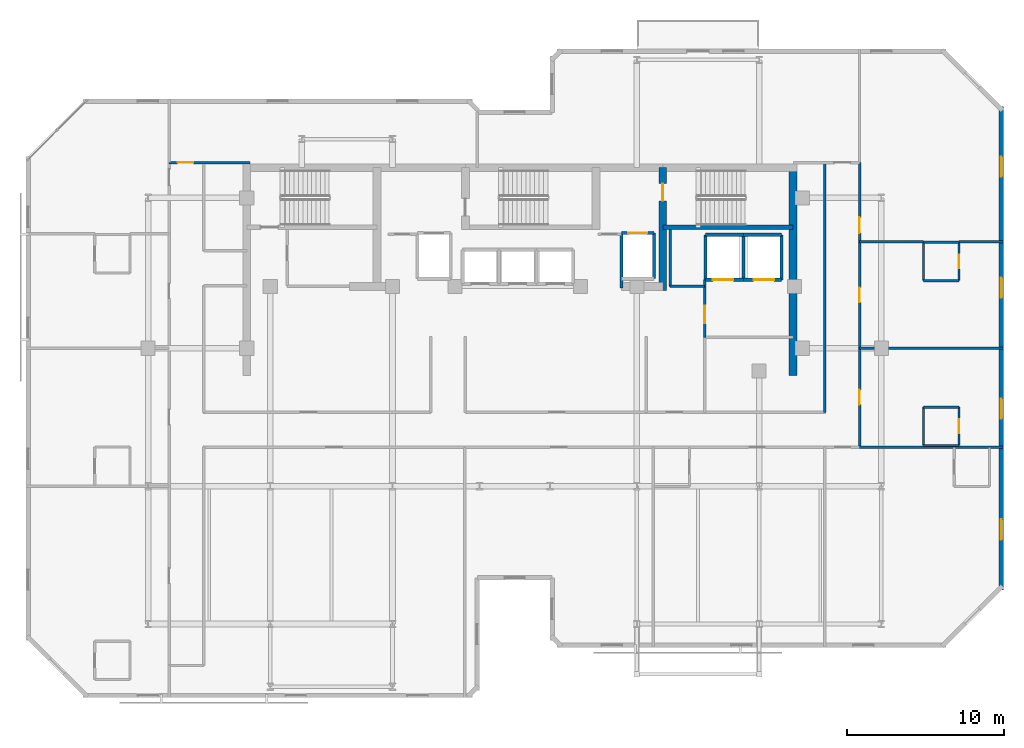
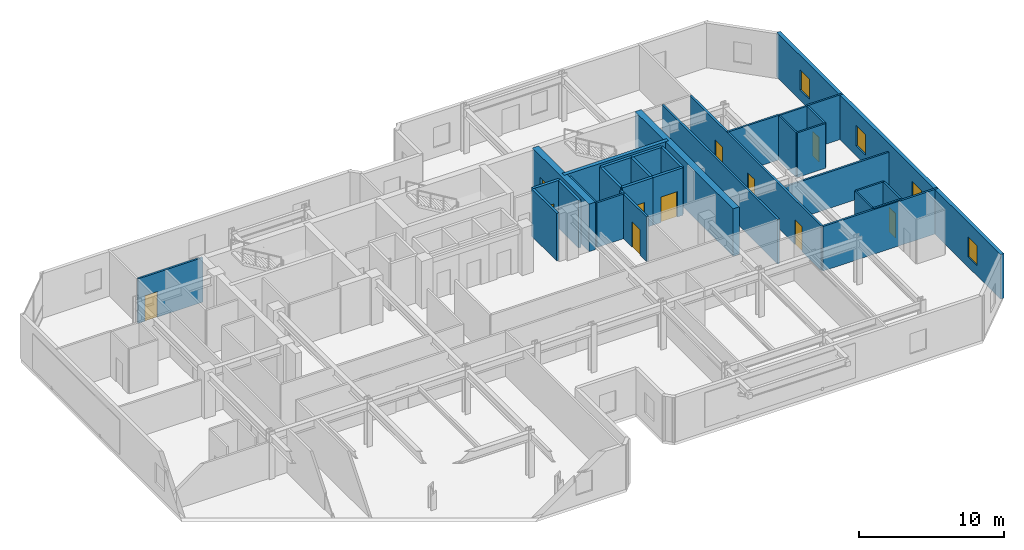
# One storey, part 6 of 10: 32 walls, 11 doors, 4 windows, 15 openings.
"""IFC4 building model written with IfcOpenShell, lengths in metres."""

from ifc_helpers import new_model, si_unit, direction, frame, frame_2d, origin, place, context, subcontext, project, spatial, rectangle, extrude, material, layer, layer_set, type_object, element, fill, save


model = new_model("IFC4")

# Units and contexts
model_context = context("Model", 3, precision=1e-05, world=origin(), true_north=direction((0.0, 1.0)))
body_context = subcontext(model_context, "Body", "Model", "MODEL_VIEW")
ifc_project = project(units=[si_unit("LENGTHUNIT", "METRE"), si_unit("AREAUNIT", "SQUARE_METRE"), si_unit("VOLUMEUNIT", "CUBIC_METRE"), si_unit("PLANEANGLEUNIT", "RADIAN"), si_unit("MASSUNIT", "GRAM", prefix="KILO")], contexts=[model_context])

# Site, building, storey
site_placement = place(None, origin())
site = spatial("IfcSite", under=ifc_project, at=site_placement, CompositionType="ELEMENT")
building_placement = place(site_placement, origin())
building = spatial("IfcBuilding", under=site, at=building_placement, Name="Kestravale Grand Hotel", CompositionType="ELEMENT")
storey_placement = place(building_placement, frame((0.0, 0.0, 261.39990234375)))
storey = spatial("IfcBuildingStorey", under=building, at=storey_placement, Name="L65", CompositionType="ELEMENT", Elevation=261.39990234375)

# Wall
ifc_material_1 = material(Name="Concrete f'c 50 MPa", Category="concrete")
ifc_layer_1 = layer(ifc_material_1, 0.5)
ifc_layer_set_1 = layer_set([ifc_layer_1], Name="EW-CORE-500")
wall_type_1 = type_object("IfcWallType", Name="EW-CORE-500", PredefinedType="SHEAR", material=ifc_layer_set_1)
wall_1_placement = place(storey_placement, frame((56.77001953125, 27.050048828125, 0.0), z_axis=(0.0, 0.0, 1.0), x_axis=(0.0, 1.0, 0.0)))
element("IfcWall", 1, at=wall_1_placement, inside=storey, type_object=wall_type_1, Name="L65 core shear wall E1", PredefinedType="SHEAR", context=body_context, shape_type="SweptSolid", body=[
    extrude(rectangle(XDim=13.52001953125, YDim=0.5, at=frame_2d((6.760009765625, 0.0))), origin(), (0.0, 0.0, 1.0), 4.0),
])

# Wall, opening, door
wall_2_placement = place(storey_placement, frame((48.449951171875, 32.5, 0.0), z_axis=(0.0, 0.0, 1.0), x_axis=(0.0, 1.0, 0.0)))
wall_2 = element("IfcWall", 2, at=wall_2_placement, inside=storey, type_object=wall_type_1, Name="L65 core shear wall X4", PredefinedType="SHEAR", context=body_context, shape_type="SweptSolid", body=[
    extrude(rectangle(XDim=7.820068359375, YDim=0.5, at=frame_2d((3.91015625, 0.0))), origin(), (0.0, 0.0, 1.0), 4.0),
])
opening_1_placement = place(wall_2_placement, frame((5.699951171875, 0.0, 0.0)))
opening_1 = element("IfcOpeningElement", 3, at=opening_1_placement, cuts=wall_2, Name="Opening D-ST-1100", PredefinedType="OPENING", context=body_context, shape_type="SweptSolid", body=[
    extrude(rectangle(XDim=1.10009765625, YDim=2.14990234375, at=frame_2d((0.550048828125, 1.074951171875))), frame((0.0, 0.260009765625, 0.0), z_axis=(0.0, -1.0, 0.0), x_axis=(1.0, 0.0, 0.0)), (0.0, 0.0, 1.0), 0.52001953125),
])
ifc_material_2 = material(Name="Galvanised 90-minute fire-rated steel stair door", Category="steel")
door_type_1 = type_object("IfcDoorType", Name="D-ST-1100", OperationType="NOTDEFINED", PredefinedType="DOOR", material=ifc_material_2)
door_1_placement = place(opening_1_placement, origin())
door_1 = element("IfcDoor", 4, at=door_1_placement, inside=storey, type_object=door_type_1, Name="L65 Stair ST-3 FSAE fire door", OperationType="SINGLE_SWING_RIGHT", OverallHeight=2.14990234375, OverallWidth=1.10009765625, PredefinedType="DOOR", context=body_context, shape_type="SweptSolid", body=[
    extrude(rectangle(XDim=1.10009765625, YDim=2.14990234375, at=frame_2d((0.550048828125, 1.074951171875))), frame((0.0, 0.02490234375, 0.0), z_axis=(0.0, -1.0, 0.0), x_axis=(1.0, 0.0, 0.0)), (0.0, 0.0, 1.0), 0.050048828125),
])
fill(opening_1, door_1)

# Wall, openings, windows
ifc_material_3 = material(Name="Precast concrete f'c 45 MPa", Category="concrete")
ifc_layer_2 = layer(ifc_material_3, 0.280029296875)
ifc_layer_set_2 = layer_set([ifc_layer_2], Name="EW-PREC-280")
wall_type_2 = type_object("IfcWallType", Name="EW-PREC-280", PredefinedType="SOLIDWALL", material=ifc_layer_set_2)
wall_3_placement = place(storey_placement, frame((70.06005859375, 13.360107421875, 0.0), z_axis=(0.0, 0.0, 1.0), x_axis=(0.0, 1.0, 0.0)))
wall_3 = element("IfcWall", 5, at=wall_3_placement, inside=storey, type_object=wall_type_2, Name="L65 fluted precast facade wall 9", PredefinedType="SOLIDWALL", context=body_context, shape_type="SweptSolid", body=[
    extrude(rectangle(XDim=30.8798828125, YDim=0.280029296875, at=frame_2d((15.43994140625, 0.0))), origin(), (0.0, 0.0, 1.0), 3.760009765625),
])
opening_2_placement = place(wall_3_placement, frame((3.2099609375, 0.0, 0.85009765625)))
opening_2 = element("IfcOpeningElement", 6, at=opening_2_placement, cuts=wall_3, Name="Opening W-GUEST-1300", PredefinedType="OPENING", context=body_context, shape_type="SweptSolid", body=[
    extrude(rectangle(XDim=1.300048828125, YDim=1.699951171875, at=frame_2d((0.64990234375, 0.85009765625))), frame((0.0, 0.14990234375, 0.0), z_axis=(0.0, -1.0, 0.0), x_axis=(1.0, 0.0, 0.0)), (0.0, 0.0, 1.0), 0.300048828125),
])
opening_3_placement = place(wall_3_placement, frame((10.929931640625, 0.0, 0.85009765625)))
opening_3 = element("IfcOpeningElement", 7, at=opening_3_placement, cuts=wall_3, Name="Opening W-GUEST-1300", PredefinedType="OPENING", context=body_context, shape_type="SweptSolid", body=[
    extrude(rectangle(XDim=1.300048828125, YDim=1.699951171875, at=frame_2d((0.64990234375, 0.85009765625))), frame((0.0, 0.14990234375, 0.0), z_axis=(0.0, -1.0, 0.0), x_axis=(1.0, 0.0, 0.0)), (0.0, 0.0, 1.0), 0.300048828125),
])
opening_4_placement = place(wall_3_placement, frame((18.64990234375, 0.0, 0.85009765625)))
opening_4 = element("IfcOpeningElement", 8, at=opening_4_placement, cuts=wall_3, Name="Opening W-GUEST-1300", PredefinedType="OPENING", context=body_context, shape_type="SweptSolid", body=[
    extrude(rectangle(XDim=1.300048828125, YDim=1.699951171875, at=frame_2d((0.64990234375, 0.85009765625))), frame((0.0, 0.14990234375, 0.0), z_axis=(0.0, -1.0, 0.0), x_axis=(1.0, 0.0, 0.0)), (0.0, 0.0, 1.0), 0.300048828125),
])
opening_5_placement = place(wall_3_placement, frame((26.3701171875, 0.0, 0.85009765625)))
opening_5 = element("IfcOpeningElement", 9, at=opening_5_placement, cuts=wall_3, Name="Opening W-GUEST-1300", PredefinedType="OPENING", context=body_context, shape_type="SweptSolid", body=[
    extrude(rectangle(XDim=1.300048828125, YDim=1.699951171875, at=frame_2d((0.64990234375, 0.85009765625))), frame((0.0, 0.14990234375, 0.0), z_axis=(0.0, -1.0, 0.0), x_axis=(1.0, 0.0, 0.0)), (0.0, 0.0, 1.0), 0.300048828125),
])
ifc_material_4 = material(Name="Insulated low-E double glazing in aluminium frame", Category="aluminium")
window_type = type_object("IfcWindowType", Name="W-GUEST-1300", PartitioningType="SINGLE_PANEL", PredefinedType="WINDOW", material=ifc_material_4)
window_1_placement = place(opening_2_placement, origin())
window_1 = element("IfcWindow", 10, at=window_1_placement, inside=storey, type_object=window_type, Name="L65 exterior window 9.1", OverallHeight=1.699951171875, OverallWidth=1.300048828125, PartitioningType="SINGLE_PANEL", PredefinedType="WINDOW", context=body_context, shape_type="SweptSolid", body=[
    extrude(rectangle(XDim=1.300048828125, YDim=1.699951171875, at=frame_2d((0.64990234375, 0.85009765625))), frame((0.0, 0.030029296875, 0.0), z_axis=(0.0, -1.0, 0.0), x_axis=(1.0, 0.0, 0.0)), (0.0, 0.0, 1.0), 0.06005859375),
])
fill(opening_2, window_1)
window_2_placement = place(opening_3_placement, origin())
window_2 = element("IfcWindow", 11, at=window_2_placement, inside=storey, type_object=window_type, Name="L65 exterior window 9.2", OverallHeight=1.699951171875, OverallWidth=1.300048828125, PartitioningType="SINGLE_PANEL", PredefinedType="WINDOW", context=body_context, shape_type="SweptSolid", body=[
    extrude(rectangle(XDim=1.300048828125, YDim=1.699951171875, at=frame_2d((0.64990234375, 0.85009765625))), frame((0.0, 0.030029296875, 0.0), z_axis=(0.0, -1.0, 0.0), x_axis=(1.0, 0.0, 0.0)), (0.0, 0.0, 1.0), 0.06005859375),
])
fill(opening_3, window_2)
window_3_placement = place(opening_4_placement, origin())
window_3 = element("IfcWindow", 12, at=window_3_placement, inside=storey, type_object=window_type, Name="L65 exterior window 9.3", OverallHeight=1.699951171875, OverallWidth=1.300048828125, PartitioningType="SINGLE_PANEL", PredefinedType="WINDOW", context=body_context, shape_type="SweptSolid", body=[
    extrude(rectangle(XDim=1.300048828125, YDim=1.699951171875, at=frame_2d((0.64990234375, 0.85009765625))), frame((0.0, 0.030029296875, 0.0), z_axis=(0.0, -1.0, 0.0), x_axis=(1.0, 0.0, 0.0)), (0.0, 0.0, 1.0), 0.06005859375),
])
fill(opening_4, window_3)
window_4_placement = place(opening_5_placement, origin())
window_4 = element("IfcWindow", 13, at=window_4_placement, inside=storey, type_object=window_type, Name="L65 exterior window 9.4", OverallHeight=1.699951171875, OverallWidth=1.300048828125, PartitioningType="SINGLE_PANEL", PredefinedType="WINDOW", context=body_context, shape_type="SweptSolid", body=[
    extrude(rectangle(XDim=1.300048828125, YDim=1.699951171875, at=frame_2d((0.64990234375, 0.85009765625))), frame((0.0, 0.030029296875, 0.0), z_axis=(0.0, -1.0, 0.0), x_axis=(1.0, 0.0, 0.0)), (0.0, 0.0, 1.0), 0.06005859375),
])
fill(opening_5, window_4)

# Wall
ifc_material_5 = material(Name="Concrete f'c 45 MPa", Category="concrete")
ifc_layer_3 = layer(ifc_material_5, 0.300048828125)
ifc_layer_set_3 = layer_set([ifc_layer_3], Name="EW-STAIR-300")
wall_type_3 = type_object("IfcWallType", Name="EW-STAIR-300", PredefinedType="SHEAR", material=ifc_layer_set_3)
wall_4_placement = place(storey_placement, frame((48.449951171875, 36.52001953125, 0.0), z_axis=(0.0, 0.0, 1.0), x_axis=(1.0, 0.0, 0.0)))
element("IfcWall", 14, at=wall_4_placement, inside=storey, type_object=wall_type_3, Name="L65 stair enclosure shear wall SST3", PredefinedType="SHEAR", context=body_context, shape_type="SweptSolid", body=[
    extrude(rectangle(XDim=8.320068359375, YDim=0.300048828125, at=frame_2d((4.16015625, 0.0))), origin(), (0.0, 0.0, 1.0), 4.0),
])

# Wall, opening, door
ifc_material_6 = material(Name="Acoustic fire-rated gypsum board partition", Category="other")
ifc_layer_4 = layer(ifc_material_6, 0.159912109375)
ifc_layer_set_4 = layer_set([ifc_layer_4], Name="IW-CORR-160")
wall_type_4 = type_object("IfcWallType", Name="IW-CORR-160", PredefinedType="PARTITIONING", material=ifc_layer_set_4)
wall_5_placement = place(storey_placement, frame((51.1201171875, 29.5, 0.0), z_axis=(0.0, 0.0, 1.0), x_axis=(0.0, 1.0, 0.0)))
wall_5 = element("IfcWall", 15, at=wall_5_placement, inside=storey, type_object=wall_type_4, Name="W-L65-SVCLOB-W", PredefinedType="PARTITIONING", context=body_context, shape_type="SweptSolid", body=[
    extrude(rectangle(XDim=3.699951171875, YDim=0.159912109375, at=frame_2d((1.85009765625, 0.0))), origin(), (0.0, 0.0, 1.0), 3.760009765625),
])
opening_6_placement = place(wall_5_placement, frame((0.89990234375, 0.0, 0.0)))
opening_6 = element("IfcOpeningElement", 16, at=opening_6_placement, cuts=wall_5, Name="Opening D-CORR-1100", PredefinedType="OPENING", context=body_context, shape_type="SweptSolid", body=[
    extrude(rectangle(XDim=1.10009765625, YDim=2.14990234375, at=frame_2d((0.550048828125, 1.074951171875))), frame((0.0, 0.08984375, 0.0), z_axis=(0.0, -1.0, 0.0), x_axis=(1.0, 0.0, 0.0)), (0.0, 0.0, 1.0), 0.179931640625),
])
ifc_material_7 = material(Name="Single-leaf service vestibule fire door", Category="steel")
door_type_2 = type_object("IfcDoorType", Name="D-CORR-1100", OperationType="NOTDEFINED", PredefinedType="DOOR", material=ifc_material_7)
door_2_placement = place(opening_6_placement, origin())
door_2 = element("IfcDoor", 17, at=door_2_placement, inside=storey, type_object=door_type_2, Name="L65 service lift lobby door", OperationType="SINGLE_SWING_LEFT", OverallHeight=2.14990234375, OverallWidth=1.10009765625, PredefinedType="DOOR", context=body_context, shape_type="SweptSolid", body=[
    extrude(rectangle(XDim=1.10009765625, YDim=2.14990234375, at=frame_2d((0.550048828125, 1.074951171875))), frame((0.0, 0.02490234375, 0.0), z_axis=(0.0, -1.0, 0.0), x_axis=(1.0, 0.0, 0.0)), (0.0, 0.0, 1.0), 0.050048828125),
])
fill(opening_6, door_2)

# Wall
wall_6_placement = place(storey_placement, frame((48.919921875, 32.75, 0.0), z_axis=(0.0, 0.0, 1.0), x_axis=(1.0, 0.0, 0.0)))
element("IfcWall", 18, at=wall_6_placement, inside=storey, type_object=wall_type_4, Name="W-L65-CES", PredefinedType="PARTITIONING", context=body_context, shape_type="SweptSolid", body=[
    extrude(rectangle(XDim=2.2001953125, YDim=0.159912109375, at=frame_2d((1.10009765625, 0.0))), origin(), (0.0, 0.0, 1.0), 3.760009765625),
])

# Wall, openings, doors
wall_7_placement = place(storey_placement, frame((61.010009765625, 22.550048828125, 0.0), z_axis=(0.0, 0.0, 1.0), x_axis=(0.0, 1.0, 0.0)))
wall_7 = element("IfcWall", 19, at=wall_7_placement, inside=storey, type_object=wall_type_4, Name="W-L65-SE-E", PredefinedType="PARTITIONING", context=body_context, shape_type="SweptSolid", body=[
    extrude(rectangle(XDim=18.099853515625, YDim=0.159912109375, at=frame_2d((9.0498046875, 0.0))), origin(), (0.0, 0.0, 1.0), 3.760009765625),
])
opening_7_placement = place(wall_7_placement, frame((2.64990234375, 0.0, 0.0)))
opening_7 = element("IfcOpeningElement", 20, at=opening_7_placement, cuts=wall_7, Name="Opening D-GUEST-950", PredefinedType="OPENING", context=body_context, shape_type="SweptSolid", body=[
    extrude(rectangle(XDim=0.949951171875, YDim=2.10009765625, at=frame_2d((0.47509765625, 1.050048828125))), frame((0.0, 0.08984375, 0.0), z_axis=(0.0, -1.0, 0.0), x_axis=(1.0, 0.0, 0.0)), (0.0, 0.0, 1.0), 0.179931640625),
])
opening_8_placement = place(wall_7_placement, frame((9.175048828125, 0.0, 0.0)))
opening_8 = element("IfcOpeningElement", 21, at=opening_8_placement, cuts=wall_7, Name="Opening D-GUEST-950", PredefinedType="OPENING", context=body_context, shape_type="SweptSolid", body=[
    extrude(rectangle(XDim=0.949951171875, YDim=2.10009765625, at=frame_2d((0.47509765625, 1.050048828125))), frame((0.0, 0.08984375, 0.0), z_axis=(0.0, -1.0, 0.0), x_axis=(1.0, 0.0, 0.0)), (0.0, 0.0, 1.0), 0.179931640625),
])
opening_9_placement = place(wall_7_placement, frame((13.60009765625, 0.0, 0.0)))
opening_9 = element("IfcOpeningElement", 22, at=opening_9_placement, cuts=wall_7, Name="Opening D-GUEST-1000", PredefinedType="OPENING", context=body_context, shape_type="SweptSolid", body=[
    extrude(rectangle(XDim=1.0, YDim=2.14990234375, at=frame_2d((0.5, 1.074951171875))), frame((0.0, 0.08984375, 0.0), z_axis=(0.0, -1.0, 0.0), x_axis=(1.0, 0.0, 0.0)), (0.0, 0.0, 1.0), 0.179931640625),
])
ifc_material_8 = material(Name="Accessible walnut veneer hotel entrance fire door", Category="wood")
door_type_3 = type_object("IfcDoorType", Name="D-GUEST-1000", OperationType="NOTDEFINED", PredefinedType="DOOR", material=ifc_material_8)
door_3_placement = place(opening_9_placement, origin())
door_3 = element("IfcDoor", 23, at=door_3_placement, inside=storey, type_object=door_type_3, Name="D-L65-AMEW", OperationType="SINGLE_SWING_RIGHT", OverallHeight=2.14990234375, OverallWidth=1.0, PredefinedType="DOOR", context=body_context, shape_type="SweptSolid", body=[
    extrude(rectangle(XDim=1.0, YDim=2.14990234375, at=frame_2d((0.5, 1.074951171875))), frame((0.0, 0.02490234375, 0.0), z_axis=(0.0, -1.0, 0.0), x_axis=(1.0, 0.0, 0.0)), (0.0, 0.0, 1.0), 0.050048828125),
])
fill(opening_9, door_3)
ifc_material_9 = material(Name="Walnut veneer hotel guestroom entrance fire door", Category="wood")
door_type_4 = type_object("IfcDoorType", Name="D-GUEST-950", OperationType="NOTDEFINED", PredefinedType="DOOR", material=ifc_material_9)
door_4_placement = place(opening_7_placement, origin())
door_4 = element("IfcDoor", 24, at=door_4_placement, inside=storey, type_object=door_type_4, Name="D-L65-U06-ENT", OperationType="SINGLE_SWING_LEFT", OverallHeight=2.10009765625, OverallWidth=0.949951171875, PredefinedType="DOOR", context=body_context, shape_type="SweptSolid", body=[
    extrude(rectangle(XDim=0.949951171875, YDim=2.10009765625, at=frame_2d((0.47509765625, 1.050048828125))), frame((0.0, 0.02490234375, 0.0), z_axis=(0.0, -1.0, 0.0), x_axis=(1.0, 0.0, 0.0)), (0.0, 0.0, 1.0), 0.050048828125),
])
fill(opening_7, door_4)
door_5_placement = place(opening_8_placement, origin())
door_5 = element("IfcDoor", 25, at=door_5_placement, inside=storey, type_object=door_type_4, Name="D-L65-U07-ENT", OperationType="SINGLE_SWING_LEFT", OverallHeight=2.10009765625, OverallWidth=0.949951171875, PredefinedType="DOOR", context=body_context, shape_type="SweptSolid", body=[
    extrude(rectangle(XDim=0.949951171875, YDim=2.10009765625, at=frame_2d((0.47509765625, 1.050048828125))), frame((0.0, 0.02490234375, 0.0), z_axis=(0.0, -1.0, 0.0), x_axis=(1.0, 0.0, 0.0)), (0.0, 0.0, 1.0), 0.050048828125),
])
fill(opening_8, door_5)

# Walls
wall_8_placement = place(storey_placement, frame((58.7900390625, 24.7099609375, 0.0), z_axis=(0.0, 0.0, 1.0), x_axis=(0.0, 1.0, 0.0)))
element("IfcWall", 26, at=wall_8_placement, inside=storey, type_object=wall_type_4, Name="W-L65-SE-WU", PredefinedType="PARTITIONING", context=body_context, shape_type="SweptSolid", body=[
    extrude(rectangle(XDim=15.93994140625, YDim=0.159912109375, at=frame_2d((7.969970703125, 0.0))), origin(), (0.0, 0.0, 1.0), 3.760009765625),
])
ifc_material_10 = material(Name="Moisture-resistant tile-backer plumbing chase wall", Category="other")
ifc_layer_5 = layer(ifc_material_10, 0.139892578125)
ifc_layer_set_5 = layer_set([ifc_layer_5], Name="IW-PLB-140")
wall_type_5 = type_object("IfcWallType", Name="IW-PLB-140", PredefinedType="PLUMBINGWALL", material=ifc_layer_set_5)
wall_9_placement = place(storey_placement, frame((65.10009765625, 22.590087890625, 0.0), z_axis=(0.0, 0.0, 1.0), x_axis=(0.0, 1.0, 0.0)))
element("IfcWall", 27, at=wall_9_placement, inside=storey, type_object=wall_type_5, Name="W-L65-U06-BW", PredefinedType="PLUMBINGWALL", context=body_context, shape_type="SweptSolid", body=[
    extrude(rectangle(XDim=2.449951171875, YDim=0.139892578125, at=frame_2d((1.22509765625, 0.0))), origin(), (0.0, 0.0, 1.0), 3.760009765625),
])

# Wall, opening, door
wall_10_placement = place(storey_placement, frame((67.35009765625, 22.590087890625, 0.0), z_axis=(0.0, 0.0, 1.0), x_axis=(0.0, 1.0, 0.0)))
wall_10 = element("IfcWall", 28, at=wall_10_placement, inside=storey, type_object=wall_type_5, Name="W-L65-U06-BE", PredefinedType="PLUMBINGWALL", context=body_context, shape_type="SweptSolid", body=[
    extrude(rectangle(XDim=2.449951171875, YDim=0.139892578125, at=frame_2d((1.22509765625, 0.0))), origin(), (0.0, 0.0, 1.0), 3.760009765625),
])
opening_10_placement = place(wall_10_placement, frame((0.784912109375, 0.0, 0.0)))
opening_10 = element("IfcOpeningElement", 29, at=opening_10_placement, cuts=wall_10, Name="Opening D-BATH-880", PredefinedType="OPENING", context=body_context, shape_type="SweptSolid", body=[
    extrude(rectangle(XDim=0.8798828125, YDim=2.050048828125, at=frame_2d((0.43994140625, 1.02490234375))), frame((0.0, 0.079833984375, 0.0), z_axis=(0.0, -1.0, 0.0), x_axis=(1.0, 0.0, 0.0)), (0.0, 0.0, 1.0), 0.159912109375),
])
ifc_material_11 = material(Name="Moisture-sealed walnut en-suite bathroom door", Category="wood")
door_type_5 = type_object("IfcDoorType", Name="D-BATH-880", OperationType="NOTDEFINED", PredefinedType="DOOR", material=ifc_material_11)
door_6_placement = place(opening_10_placement, origin())
door_6 = element("IfcDoor", 30, at=door_6_placement, inside=storey, type_object=door_type_5, Name="D-L65-U06-BATH", OperationType="SINGLE_SWING_RIGHT", OverallHeight=2.050048828125, OverallWidth=0.8798828125, PredefinedType="DOOR", context=body_context, shape_type="SweptSolid", body=[
    extrude(rectangle(XDim=0.8798828125, YDim=2.050048828125, at=frame_2d((0.43994140625, 1.02490234375))), frame((0.0, 0.02490234375, 0.0), z_axis=(0.0, -1.0, 0.0), x_axis=(1.0, 0.0, 0.0)), (0.0, 0.0, 1.0), 0.050048828125),
])
fill(opening_10, door_6)

# Walls
for number, where, z_axis, x_axis, name in (
    (31, (65.10009765625, 22.590087890625, 0.0), (0.0, 0.0, 1.0), (1.0, 0.0, 0.0), "W-L65-U06-BS"),
    (32, (65.10009765625, 25.0400390625, 0.0), (0.0, 0.0, 1.0), (1.0, 0.0, 0.0), "W-L65-U06-BN"),
):
    element("IfcWall", number, at=place(storey_placement, frame(where, z_axis=z_axis, x_axis=x_axis)), inside=storey, type_object=wall_type_5, Name=name, PredefinedType="PLUMBINGWALL", context=body_context, shape_type="SweptSolid", body=[
        extrude(rectangle(XDim=2.25, YDim=0.139892578125, at=frame_2d((1.125, 0.0))), origin(), (0.0, 0.0, 1.0), 3.760009765625),
    ])
wall_11_placement = place(storey_placement, frame((65.10009765625, 33.110107421875, 0.0), z_axis=(0.0, 0.0, 1.0), x_axis=(0.0, 1.0, 0.0)))
element("IfcWall", 33, at=wall_11_placement, inside=storey, type_object=wall_type_5, Name="W-L65-U07-BW", PredefinedType="PLUMBINGWALL", context=body_context, shape_type="SweptSolid", body=[
    extrude(rectangle(XDim=2.449951171875, YDim=0.139892578125, at=frame_2d((1.22509765625, 0.0))), origin(), (0.0, 0.0, 1.0), 3.760009765625),
])

# Wall, opening, door
wall_12_placement = place(storey_placement, frame((67.35009765625, 33.110107421875, 0.0), z_axis=(0.0, 0.0, 1.0), x_axis=(0.0, 1.0, 0.0)))
wall_12 = element("IfcWall", 34, at=wall_12_placement, inside=storey, type_object=wall_type_5, Name="W-L65-U07-BE", PredefinedType="PLUMBINGWALL", context=body_context, shape_type="SweptSolid", body=[
    extrude(rectangle(XDim=2.449951171875, YDim=0.139892578125, at=frame_2d((1.22509765625, 0.0))), origin(), (0.0, 0.0, 1.0), 3.760009765625),
])
opening_11_placement = place(wall_12_placement, frame((0.784912109375, 0.0, 0.0)))
opening_11 = element("IfcOpeningElement", 35, at=opening_11_placement, cuts=wall_12, Name="Opening D-BATH-880", PredefinedType="OPENING", context=body_context, shape_type="SweptSolid", body=[
    extrude(rectangle(XDim=0.8798828125, YDim=2.050048828125, at=frame_2d((0.43994140625, 1.02490234375))), frame((0.0, 0.079833984375, 0.0), z_axis=(0.0, -1.0, 0.0), x_axis=(1.0, 0.0, 0.0)), (0.0, 0.0, 1.0), 0.159912109375),
])
door_7_placement = place(opening_11_placement, origin())
door_7 = element("IfcDoor", 36, at=door_7_placement, inside=storey, type_object=door_type_5, Name="D-L65-U07-BATH", OperationType="SINGLE_SWING_RIGHT", OverallHeight=2.050048828125, OverallWidth=0.8798828125, PredefinedType="DOOR", context=body_context, shape_type="SweptSolid", body=[
    extrude(rectangle(XDim=0.8798828125, YDim=2.050048828125, at=frame_2d((0.43994140625, 1.02490234375))), frame((0.0, 0.02490234375, 0.0), z_axis=(0.0, -1.0, 0.0), x_axis=(1.0, 0.0, 0.0)), (0.0, 0.0, 1.0), 0.050048828125),
])
fill(opening_11, door_7)

# Walls
for number, where, z_axis, x_axis, name in (
    (37, (65.10009765625, 33.110107421875, 0.0), (0.0, 0.0, 1.0), (1.0, 0.0, 0.0), "W-L65-U07-BS"),
    (38, (65.10009765625, 35.56005859375, 0.0), (0.0, 0.0, 1.0), (1.0, 0.0, 0.0), "W-L65-U07-BN"),
):
    element("IfcWall", number, at=place(storey_placement, frame(where, z_axis=z_axis, x_axis=x_axis)), inside=storey, type_object=wall_type_5, Name=name, PredefinedType="PLUMBINGWALL", context=body_context, shape_type="SweptSolid", body=[
        extrude(rectangle(XDim=2.25, YDim=0.139892578125, at=frame_2d((1.125, 0.0))), origin(), (0.0, 0.0, 1.0), 3.760009765625),
    ])
ifc_material_12 = material(Name="Concrete f'c 45 MPa", Category="concrete")
ifc_layer_6 = layer(ifc_material_12, 0.199951171875)
ifc_layer_set_6 = layer_set([ifc_layer_6], Name="IW-SHAFT-200")
wall_type_6 = type_object("IfcWallType", Name="IW-SHAFT-200", PredefinedType="SHEAR", material=ifc_layer_set_6)
for number, where, z_axis, x_axis, name in (
    (39, (51.179931640625, 33.169921875, 0.0), (0.0, 0.0, 1.0), (0.0, 1.0, 0.0), "L65 SL-1 west shaft wall"),
    (40, (53.60009765625, 33.169921875, 0.0), (0.0, 0.0, 1.0), (0.0, 1.0, 0.0), "L65 SL-2 west shaft wall"),
    (41, (56.02001953125, 33.169921875, 0.0), (0.0, 0.0, 1.0), (0.0, 1.0, 0.0), "L65 SL-2 east shaft wall"),
):
    element("IfcWall", number, at=place(storey_placement, frame(where, z_axis=z_axis, x_axis=x_axis)), inside=storey, type_object=wall_type_6, Name=name, PredefinedType="SHEAR", context=body_context, shape_type="SweptSolid", body=[
        extrude(rectangle(XDim=2.860107421875, YDim=0.199951171875, at=frame_2d((1.43017578125, 0.0))), origin(), (0.0, 0.0, 1.0), 4.0),
    ])
wall_13_placement = place(storey_placement, frame((45.804931640625, 32.64990234375, 0.0), z_axis=(0.0, 0.0, 1.0), x_axis=(0.0, 1.0, 0.0)))
element("IfcWall", 42, at=wall_13_placement, inside=storey, type_object=wall_type_6, Name="L65 FL-2 west shaft wall", PredefinedType="SHEAR", context=body_context, shape_type="SweptSolid", body=[
    extrude(rectangle(XDim=3.505126953125, YDim=0.199951171875, at=frame_2d((1.75244140625, 0.0))), origin(), (0.0, 0.0, 1.0), 4.0),
])
wall_14_placement = place(storey_placement, frame((47.89501953125, 33.2451171875, 0.0), z_axis=(0.0, 0.0, 1.0), x_axis=(0.0, 1.0, 0.0)))
element("IfcWall", 43, at=wall_14_placement, inside=storey, type_object=wall_type_6, Name="L65 FL-2 east shaft wall", PredefinedType="SHEAR", context=body_context, shape_type="SweptSolid", body=[
    extrude(rectangle(XDim=2.909912109375, YDim=0.199951171875, at=frame_2d((1.455078125, 0.0))), origin(), (0.0, 0.0, 1.0), 4.0),
])
ifc_material_13 = material(Name="Concrete f'c 45 MPa", Category="concrete")
ifc_layer_7 = layer(ifc_material_13, 0.219970703125)
ifc_layer_set_7 = layer_set([ifc_layer_7], Name="IW-SHAFT-220")
wall_type_7 = type_object("IfcWallType", Name="IW-SHAFT-220", PredefinedType="SHEAR", material=ifc_layer_set_7)
wall_15_placement = place(storey_placement, frame((51.179931640625, 36.030029296875, 0.0), z_axis=(0.0, 0.0, 1.0), x_axis=(1.0, 0.0, 0.0)))
element("IfcWall", 44, at=wall_15_placement, inside=storey, type_object=wall_type_7, Name="L65 SL-1 north shaft wall", PredefinedType="SHEAR", context=body_context, shape_type="SweptSolid", body=[
    extrude(rectangle(XDim=2.420166015625, YDim=0.219970703125, at=frame_2d((1.2099609375, 0.0))), origin(), (0.0, 0.0, 1.0), 4.0),
])

# Wall, opening, door
wall_16_placement = place(storey_placement, frame((51.179931640625, 33.169921875, 0.0), z_axis=(0.0, 0.0, 1.0), x_axis=(1.0, 0.0, 0.0)))
wall_16 = element("IfcWall", 45, at=wall_16_placement, inside=storey, type_object=wall_type_7, Name="L65 SL-1 south shaft wall", PredefinedType="SHEAR", context=body_context, shape_type="SweptSolid", body=[
    extrude(rectangle(XDim=2.420166015625, YDim=0.219970703125, at=frame_2d((1.2099609375, 0.0))), origin(), (0.0, 0.0, 1.0), 4.0),
])
opening_12_placement = place(wall_16_placement, frame((0.469970703125, 0.0, 0.0)))
opening_12 = element("IfcOpeningElement", 46, at=opening_12_placement, cuts=wall_16, Name="Opening LD-SVC-1300", PredefinedType="OPENING", context=body_context, shape_type="SweptSolid", body=[
    extrude(rectangle(XDim=1.300048828125, YDim=2.14990234375, at=frame_2d((0.64990234375, 1.074951171875))), frame((0.0, 0.119873046875, 0.0), z_axis=(0.0, -1.0, 0.0), x_axis=(1.0, 0.0, 0.0)), (0.0, 0.0, 1.0), 0.239990234375),
])
ifc_material_14 = material(Name="Heavy-duty service sliding elevator landing door", Category="steel")
door_type_6 = type_object("IfcDoorType", Name="LD-SVC-1300", OperationType="NOTDEFINED", PredefinedType="DOOR", material=ifc_material_14)
door_8_placement = place(opening_12_placement, origin())
door_8 = element("IfcDoor", 47, at=door_8_placement, inside=storey, type_object=door_type_6, Name="L65 SL-1 elevator landing sliding door", OperationType="DOUBLE_DOOR_SLIDING", OverallHeight=2.14990234375, OverallWidth=1.300048828125, PredefinedType="DOOR", context=body_context, shape_type="SweptSolid", body=[
    extrude(rectangle(XDim=1.300048828125, YDim=2.14990234375, at=frame_2d((0.64990234375, 1.074951171875))), frame((0.0, 0.02490234375, 0.0), z_axis=(0.0, -1.0, 0.0), x_axis=(1.0, 0.0, 0.0)), (0.0, 0.0, 1.0), 0.050048828125),
])
fill(opening_12, door_8)

# Wall
wall_17_placement = place(storey_placement, frame((53.60009765625, 36.030029296875, 0.0), z_axis=(0.0, 0.0, 1.0), x_axis=(1.0, 0.0, 0.0)))
element("IfcWall", 48, at=wall_17_placement, inside=storey, type_object=wall_type_7, Name="L65 SL-2 north shaft wall", PredefinedType="SHEAR", context=body_context, shape_type="SweptSolid", body=[
    extrude(rectangle(XDim=2.419921875, YDim=0.219970703125, at=frame_2d((1.2099609375, 0.0))), origin(), (0.0, 0.0, 1.0), 4.0),
])

# Wall, opening, door
wall_18_placement = place(storey_placement, frame((53.60009765625, 33.169921875, 0.0), z_axis=(0.0, 0.0, 1.0), x_axis=(1.0, 0.0, 0.0)))
wall_18 = element("IfcWall", 49, at=wall_18_placement, inside=storey, type_object=wall_type_7, Name="L65 SL-2 south shaft wall", PredefinedType="SHEAR", context=body_context, shape_type="SweptSolid", body=[
    extrude(rectangle(XDim=2.419921875, YDim=0.219970703125, at=frame_2d((1.2099609375, 0.0))), origin(), (0.0, 0.0, 1.0), 4.0),
])
opening_13_placement = place(wall_18_placement, frame((0.64990234375, 0.0, 0.0)))
opening_13 = element("IfcOpeningElement", 50, at=opening_13_placement, cuts=wall_18, Name="Opening LD-SVC-1300", PredefinedType="OPENING", context=body_context, shape_type="SweptSolid", body=[
    extrude(rectangle(XDim=1.300048828125, YDim=2.14990234375, at=frame_2d((0.64990234375, 1.074951171875))), frame((0.0, 0.119873046875, 0.0), z_axis=(0.0, -1.0, 0.0), x_axis=(1.0, 0.0, 0.0)), (0.0, 0.0, 1.0), 0.239990234375),
])
door_9_placement = place(opening_13_placement, origin())
door_9 = element("IfcDoor", 51, at=door_9_placement, inside=storey, type_object=door_type_6, Name="L65 SL-2 elevator landing sliding door", OperationType="DOUBLE_DOOR_SLIDING", OverallHeight=2.14990234375, OverallWidth=1.300048828125, PredefinedType="DOOR", context=body_context, shape_type="SweptSolid", body=[
    extrude(rectangle(XDim=1.300048828125, YDim=2.14990234375, at=frame_2d((0.64990234375, 1.074951171875))), frame((0.0, 0.02490234375, 0.0), z_axis=(0.0, -1.0, 0.0), x_axis=(1.0, 0.0, 0.0)), (0.0, 0.0, 1.0), 0.050048828125),
])
fill(opening_13, door_9)

wall_19_placement = place(storey_placement, frame((45.804931640625, 36.155029296875, 0.0), z_axis=(0.0, 0.0, 1.0), x_axis=(1.0, 0.0, 0.0)))
wall_19 = element("IfcWall", 52, at=wall_19_placement, inside=storey, type_object=wall_type_7, Name="L65 FL-2 north shaft wall", PredefinedType="SHEAR", context=body_context, shape_type="SweptSolid", body=[
    extrude(rectangle(XDim=2.090087890625, YDim=0.219970703125, at=frame_2d((1.044921875, 0.0))), origin(), (0.0, 0.0, 1.0), 4.0),
])
opening_14_placement = place(wall_19_placement, frame((0.445068359375, 0.0, 0.0)))
opening_14 = element("IfcOpeningElement", 53, at=opening_14_placement, cuts=wall_19, Name="Opening LD-FSAE-1200", PredefinedType="OPENING", context=body_context, shape_type="SweptSolid", body=[
    extrude(rectangle(XDim=1.199951171875, YDim=2.14990234375, at=frame_2d((0.60009765625, 1.074951171875))), frame((0.0, 0.119873046875, 0.0), z_axis=(0.0, -1.0, 0.0), x_axis=(1.0, 0.0, 0.0)), (0.0, 0.0, 1.0), 0.239990234375),
])
ifc_material_15 = material(Name="Stainless fire-service sliding elevator landing door", Category="steel")
door_type_7 = type_object("IfcDoorType", Name="LD-FSAE-1200", OperationType="NOTDEFINED", PredefinedType="DOOR", material=ifc_material_15)
door_10_placement = place(opening_14_placement, origin())
door_10 = element("IfcDoor", 54, at=door_10_placement, inside=storey, type_object=door_type_7, Name="L65 FL-2 elevator landing sliding door", OperationType="DOUBLE_DOOR_SLIDING", OverallHeight=2.14990234375, OverallWidth=1.199951171875, PredefinedType="DOOR", context=body_context, shape_type="SweptSolid", body=[
    extrude(rectangle(XDim=1.199951171875, YDim=2.14990234375, at=frame_2d((0.60009765625, 1.074951171875))), frame((0.0, 0.02490234375, 0.0), z_axis=(0.0, -1.0, 0.0), x_axis=(1.0, 0.0, 0.0)), (0.0, 0.0, 1.0), 0.050048828125),
])
fill(opening_14, door_10)

# Wall
ifc_material_16 = material(Name="Double-stud STC 52 acoustic demising partition", Category="other")
ifc_layer_8 = layer(ifc_material_16, 0.14990234375)
ifc_layer_set_8 = layer_set([ifc_layer_8], Name="IW-UNIT-150")
wall_type_8 = type_object("IfcWallType", Name="IW-UNIT-150", PredefinedType="PARTITIONING", material=ifc_layer_set_8)
wall_20_placement = place(storey_placement, frame((48.919921875, 32.75, 0.0), z_axis=(0.0, 0.0, 1.0), x_axis=(0.0, 1.0, 0.0)))
element("IfcWall", 55, at=wall_20_placement, inside=storey, type_object=wall_type_8, Name="W-L65-CEW", PredefinedType="PARTITIONING", context=body_context, shape_type="SweptSolid", body=[
    extrude(rectangle(XDim=3.6201171875, YDim=0.14990234375, at=frame_2d((1.81005859375, 0.0))), origin(), (0.0, 0.0, 1.0), 3.760009765625),
])

# Wall, opening, door
wall_21_placement = place(storey_placement, frame((16.93994140625, 40.64990234375, 0.0), z_axis=(0.0, 0.0, 1.0), x_axis=(1.0, 0.0, 0.0)))
wall_21 = element("IfcWall", 56, at=wall_21_placement, inside=storey, type_object=wall_type_8, Name="W-L65-SW-N", PredefinedType="PARTITIONING", context=body_context, shape_type="SweptSolid", body=[
    extrude(rectangle(XDim=5.16015625, YDim=0.14990234375, at=frame_2d((2.580078125, 0.0))), origin(), (0.0, 0.0, 1.0), 3.760009765625),
])
opening_15_placement = place(wall_21_placement, frame((0.550048828125, 0.0, 0.0)))
opening_15 = element("IfcOpeningElement", 57, at=opening_15_placement, cuts=wall_21, Name="Opening D-GUEST-1000", PredefinedType="OPENING", context=body_context, shape_type="SweptSolid", body=[
    extrude(rectangle(XDim=1.0, YDim=2.14990234375, at=frame_2d((0.5, 1.074951171875))), frame((0.0, 0.0849609375, 0.0), z_axis=(0.0, -1.0, 0.0), x_axis=(1.0, 0.0, 0.0)), (0.0, 0.0, 1.0), 0.169921875),
])
door_11_placement = place(opening_15_placement, origin())
door_11 = element("IfcDoor", 58, at=door_11_placement, inside=storey, type_object=door_type_3, Name="L65 NW Gallery Door", OperationType="SINGLE_SWING_RIGHT", OverallHeight=2.14990234375, OverallWidth=1.0, PredefinedType="DOOR", context=body_context, shape_type="SweptSolid", body=[
    extrude(rectangle(XDim=1.0, YDim=2.14990234375, at=frame_2d((0.5, 1.074951171875))), frame((0.0, 0.02490234375, 0.0), z_axis=(0.0, -1.0, 0.0), x_axis=(1.0, 0.0, 0.0)), (0.0, 0.0, 1.0), 0.050048828125),
])
fill(opening_15, door_11)

# Walls
wall_22_placement = place(storey_placement, frame((61.010009765625, 22.489990234375, 0.0), z_axis=(0.0, 0.0, 1.0), x_axis=(1.0, 0.0, 0.0)))
element("IfcWall", 59, at=wall_22_placement, inside=storey, type_object=wall_type_8, Name="W-L65-SEC-N", PredefinedType="PARTITIONING", context=body_context, shape_type="SweptSolid", body=[
    extrude(rectangle(XDim=9.169921875, YDim=0.14990234375, at=frame_2d((4.5849609375, 0.0))), origin(), (0.0, 0.0, 1.0), 3.760009765625),
])
wall_23_placement = place(storey_placement, frame((61.010009765625, 28.800048828125, 0.0), z_axis=(0.0, 0.0, 1.0), x_axis=(1.0, 0.0, 0.0)))
element("IfcWall", 60, at=wall_23_placement, inside=storey, type_object=wall_type_8, Name="W-L65-EW-1", PredefinedType="PARTITIONING", context=body_context, shape_type="SweptSolid", body=[
    extrude(rectangle(XDim=9.169921875, YDim=0.14990234375, at=frame_2d((4.5849609375, 0.0))), origin(), (0.0, 0.0, 1.0), 3.064208984375),
])
wall_24_placement = place(storey_placement, frame((61.010009765625, 35.60009765625, 0.0), z_axis=(0.0, 0.0, 1.0), x_axis=(1.0, 0.0, 0.0)))
element("IfcWall", 61, at=wall_24_placement, inside=storey, type_object=wall_type_8, Name="W-L65-EW-2", PredefinedType="PARTITIONING", context=body_context, shape_type="SweptSolid", body=[
    extrude(rectangle(XDim=4.090087890625, YDim=0.14990234375, at=frame_2d((2.044921875, 0.0))), origin(), (0.0, 0.0, 1.0), 3.760009765625),
])
wall_25_placement = place(storey_placement, frame((67.35009765625, 35.60009765625, 0.0), z_axis=(0.0, 0.0, 1.0), x_axis=(1.0, 0.0, 0.0)))
element("IfcWall", 62, at=wall_25_placement, inside=storey, type_object=wall_type_8, Name="W-L65-EW-2", PredefinedType="PARTITIONING", context=body_context, shape_type="SweptSolid", body=[
    extrude(rectangle(XDim=2.829833984375, YDim=0.14990234375, at=frame_2d((1.4150390625, 0.0))), origin(), (0.0, 0.0, 1.0), 3.760009765625),
])

save(model, "model.ifc")
